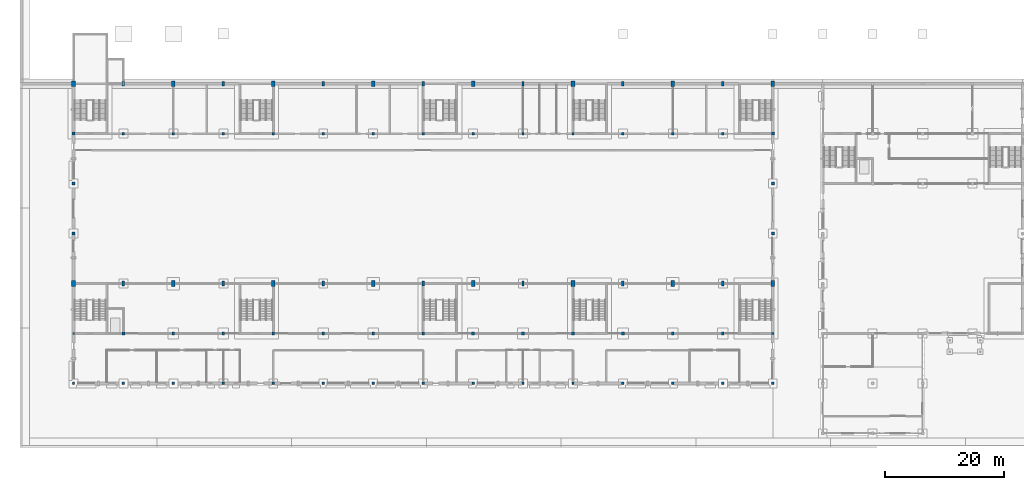
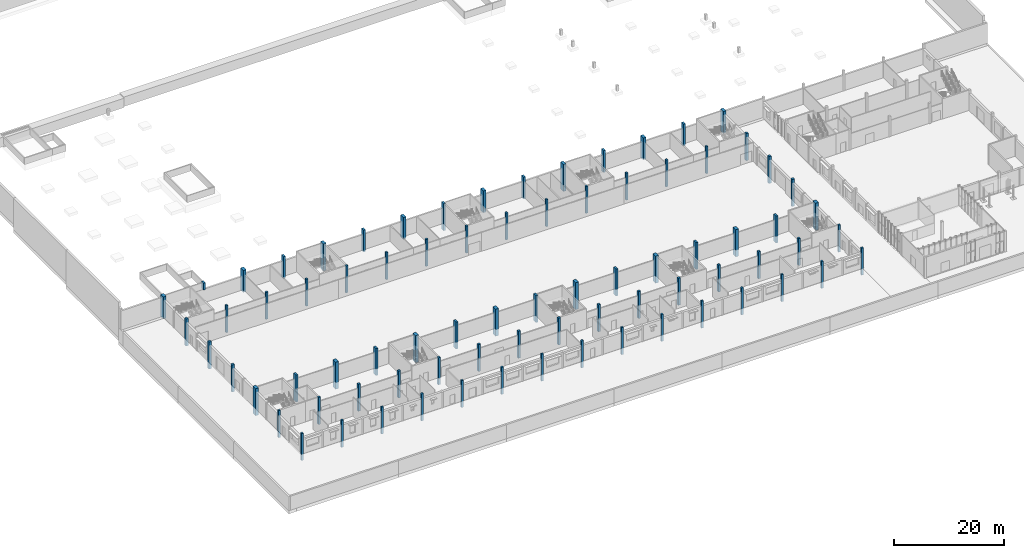
# One storey, part 4 of 36: 79 columns.
"""IFC4 building model written with IfcOpenShell, lengths in metres."""

from ifc_helpers import new_model, si_unit, direction, frame, origin, origin_2d, place, context, subcontext, project, spatial, rectangle, extrude, material, material_profile, profile_set, type_object, element, save


model = new_model("IFC4")

# Units and contexts
model_context = context("Model", 3, precision=1e-05, world=origin(), true_north=direction((0.0, 1.0)))
body_context = subcontext(model_context, "Body", "Model", "MODEL_VIEW")
ifc_project = project(units=[si_unit("LENGTHUNIT", "METRE"), si_unit("AREAUNIT", "SQUARE_METRE"), si_unit("VOLUMEUNIT", "CUBIC_METRE"), si_unit("PLANEANGLEUNIT", "RADIAN"), si_unit("MASSUNIT", "GRAM", prefix="KILO")], contexts=[model_context])

# Site, building, storey
site_placement = place(None, origin())
site = spatial("IfcSite", under=ifc_project, at=site_placement, CompositionType="ELEMENT")
building_placement = place(site_placement, origin())
building = spatial("IfcBuilding", under=site, at=building_placement, Name="Fescue Hill Polytechnic", CompositionType="ELEMENT")
storey_placement = place(building_placement, origin())
storey = spatial("IfcBuildingStorey", under=building, at=storey_placement, Name="L00", CompositionType="ELEMENT", Elevation=0.0)

# Columns
ifc_material = material(Name="Concrete 40 MPa", Category="concrete")
ifc_material_profile_1 = material_profile(ifc_material, rectangle(XDim=0.39990234375, YDim=0.39990234375, at=origin_2d()), Name="RC 400x400")
ifc_profile_set_1 = profile_set([ifc_material_profile_1], Name="Concrete 40 MPa")
column_type_1 = type_object("IfcColumnType", Name="Column RC 400x400", PredefinedType="COLUMN", material=ifc_profile_set_1)
for number, where, z_axis, x_axis, name in (
    (1, (0.0, 0.0, -1.5), (0.0, 0.0, 1.0), (1.0, 0.0, 0.0), "COL-L00-V1-001"),
    (2, (0.0, 8.39990234375, -1.5), (0.0, 0.0, 1.0), (1.0, 0.0, 0.0), "COL-L00-V1-002"),
    (3, (8.39990234375, 0.0, -1.5), (0.0, 0.0, 1.0), (1.0, 0.0, 0.0), "COL-L00-V1-008"),
    (4, (8.39990234375, 42.0, -1.5), (0.0, 0.0, 1.0), (1.0, 0.0, 0.0), "COL-L00-V1-011"),
    (5, (16.800048828125, 0.0, -1.5), (0.0, 0.0, 1.0), (1.0, 0.0, 0.0), "COL-L00-V1-013"),
    (6, (16.800048828125, 42.0, -1.5), (0.0, 0.0, 1.0), (1.0, 0.0, 0.0), "COL-L00-V1-016"),
    (7, (25.199951171875, 0.0, -1.5), (0.0, 0.0, 1.0), (1.0, 0.0, 0.0), "COL-L00-V1-018"),
    (8, (25.199951171875, 42.0, -1.5), (0.0, 0.0, 1.0), (1.0, 0.0, 0.0), "COL-L00-V1-021"),
    (9, (33.60009765625, 0.0, -1.5), (0.0, 0.0, 1.0), (1.0, 0.0, 0.0), "COL-L00-V1-023"),
    (10, (33.60009765625, 42.0, -1.5), (0.0, 0.0, 1.0), (1.0, 0.0, 0.0), "COL-L00-V1-026"),
    (11, (42.0, 0.0, -1.5), (0.0, 0.0, 1.0), (1.0, 0.0, 0.0), "COL-L00-V1-028"),
    (12, (42.0, 42.0, -1.5), (0.0, 0.0, 1.0), (1.0, 0.0, 0.0), "COL-L00-V1-031"),
    (13, (50.39990234375, 0.0, -1.5), (0.0, 0.0, 1.0), (1.0, 0.0, 0.0), "COL-L00-V1-033"),
    (14, (50.39990234375, 42.0, -1.5), (0.0, 0.0, 1.0), (1.0, 0.0, 0.0), "COL-L00-V1-036"),
    (15, (58.800048828125, 0.0, -1.5), (0.0, 0.0, 1.0), (1.0, 0.0, 0.0), "COL-L00-V1-038"),
    (16, (58.800048828125, 42.0, -1.5), (0.0, 0.0, 1.0), (1.0, 0.0, 0.0), "COL-L00-V1-041"),
    (17, (67.199951171875, 0.0, -1.5), (0.0, 0.0, 1.0), (1.0, 0.0, 0.0), "COL-L00-V1-043"),
    (18, (67.199951171875, 42.0, -1.5), (0.0, 0.0, 1.0), (1.0, 0.0, 0.0), "COL-L00-V1-046"),
    (19, (75.60009765625, 0.0, -1.5), (0.0, 0.0, 1.0), (1.0, 0.0, 0.0), "COL-L00-V1-048"),
    (20, (75.60009765625, 42.0, -1.5), (0.0, 0.0, 1.0), (1.0, 0.0, 0.0), "COL-L00-V1-051"),
    (21, (84.0, 0.0, -1.5), (0.0, 0.0, 1.0), (1.0, 0.0, 0.0), "COL-L00-V1-053"),
    (22, (84.0, 42.0, -1.5), (0.0, 0.0, 1.0), (1.0, 0.0, 0.0), "COL-L00-V1-056"),
    (23, (92.39990234375, 0.0, -1.5), (0.0, 0.0, 1.0), (1.0, 0.0, 0.0), "COL-L00-V1-058"),
    (24, (92.39990234375, 42.0, -1.5), (0.0, 0.0, 1.0), (1.0, 0.0, 0.0), "COL-L00-V1-061"),
    (25, (100.800048828125, 0.0, -1.5), (0.0, 0.0, 1.0), (1.0, 0.0, 0.0), "COL-L00-V1-063"),
    (26, (100.800048828125, 42.0, -1.5), (0.0, 0.0, 1.0), (1.0, 0.0, 0.0), "COL-L00-V1-066"),
    (27, (109.199951171875, 0.0, -1.5), (0.0, 0.0, 1.0), (1.0, 0.0, 0.0), "COL-L00-V1-068"),
    (28, (109.199951171875, 42.0, -1.5), (0.0, 0.0, 1.0), (1.0, 0.0, 0.0), "COL-L00-V1-071"),
    (29, (117.60009765625, 0.0, -1.5), (0.0, 0.0, 1.0), (1.0, 0.0, 0.0), "COL-L00-V1-073"),
    (30, (117.60009765625, 8.39990234375, -1.5), (0.0, 0.0, 1.0), (1.0, 0.0, 0.0), "COL-L00-V1-074"),
):
    element("IfcColumn", number, at=place(storey_placement, frame(where, z_axis=z_axis, x_axis=x_axis)), inside=storey, type_object=column_type_1, Name=name, PredefinedType="COLUMN", context=body_context, shape_type="SweptSolid", body=[
        extrude(rectangle(XDim=0.39990234375, YDim=0.39990234375, at=origin_2d()), origin(), (0.0, 0.0, 1.0), 6.0),
    ])
ifc_material_profile_2 = material_profile(ifc_material, rectangle(XDim=0.39990234375, YDim=0.800048828125, at=origin_2d()), Name="RC 400x800")
ifc_profile_set_2 = profile_set([ifc_material_profile_2], Name="Concrete 40 MPa")
column_type_2 = type_object("IfcColumnType", Name="Column RC 400x800", PredefinedType="COLUMN", material=ifc_profile_set_2)
column_1_placement = place(storey_placement, frame((8.39990234375, 16.800048828125, -1.5), z_axis=(0.0, 0.0, 1.0), x_axis=(1.0, 0.0, 0.0)))
element("IfcColumn", 31, at=column_1_placement, inside=storey, type_object=column_type_2, Name="COL-L00-V1-010", PredefinedType="COLUMN", context=body_context, shape_type="SweptSolid", body=[
    extrude(rectangle(XDim=0.39990234375, YDim=0.800048828125, at=origin_2d()), origin(), (0.0, 0.0, 1.0), 6.0),
])
column_2_placement = place(storey_placement, frame((8.39990234375, 50.39990234375, 3.0), z_axis=(0.0, 0.0, 1.0), x_axis=(1.0, 0.0, 0.0)))
element("IfcColumn", 32, at=column_2_placement, inside=storey, type_object=column_type_2, Name="COL-L00-V1-012", PredefinedType="COLUMN", context=body_context, shape_type="SweptSolid", body=[
    extrude(rectangle(XDim=0.39990234375, YDim=0.800048828125, at=origin_2d()), origin(), (0.0, 0.0, 1.0), 1.5),
])
column_3_placement = place(storey_placement, frame((25.199951171875, 16.800048828125, -1.5), z_axis=(0.0, 0.0, 1.0), x_axis=(1.0, 0.0, 0.0)))
element("IfcColumn", 33, at=column_3_placement, inside=storey, type_object=column_type_2, Name="COL-L00-V1-020", PredefinedType="COLUMN", context=body_context, shape_type="SweptSolid", body=[
    extrude(rectangle(XDim=0.39990234375, YDim=0.800048828125, at=origin_2d()), origin(), (0.0, 0.0, 1.0), 6.0),
])
column_4_placement = place(storey_placement, frame((25.199951171875, 50.39990234375, -0.35009765625), z_axis=(0.0, 0.0, 1.0), x_axis=(1.0, 0.0, 0.0)))
element("IfcColumn", 34, at=column_4_placement, inside=storey, type_object=column_type_2, Name="COL-L00-V1-022", PredefinedType="COLUMN", context=body_context, shape_type="SweptSolid", body=[
    extrude(rectangle(XDim=0.39990234375, YDim=0.800048828125, at=origin_2d()), origin(), (0.0, 0.0, 1.0), 4.85009765625),
])
column_5_placement = place(storey_placement, frame((42.0, 16.800048828125, -1.5), z_axis=(0.0, 0.0, 1.0), x_axis=(1.0, 0.0, 0.0)))
element("IfcColumn", 35, at=column_5_placement, inside=storey, type_object=column_type_2, Name="COL-L00-V1-030", PredefinedType="COLUMN", context=body_context, shape_type="SweptSolid", body=[
    extrude(rectangle(XDim=0.39990234375, YDim=0.800048828125, at=origin_2d()), origin(), (0.0, 0.0, 1.0), 6.0),
])
column_6_placement = place(storey_placement, frame((42.0, 50.39990234375, -0.35009765625), z_axis=(0.0, 0.0, 1.0), x_axis=(1.0, 0.0, 0.0)))
element("IfcColumn", 36, at=column_6_placement, inside=storey, type_object=column_type_2, Name="COL-L00-V1-032", PredefinedType="COLUMN", context=body_context, shape_type="SweptSolid", body=[
    extrude(rectangle(XDim=0.39990234375, YDim=0.800048828125, at=origin_2d()), origin(), (0.0, 0.0, 1.0), 4.85009765625),
])
for number, where, z_axis, x_axis, name in (
    (37, (58.800048828125, 16.800048828125, -1.5), (0.0, 0.0, 1.0), (1.0, 0.0, 0.0), "COL-L00-V1-040"),
    (38, (58.800048828125, 50.39990234375, -1.5), (0.0, 0.0, 1.0), (1.0, 0.0, 0.0), "COL-L00-V1-042"),
    (39, (75.60009765625, 16.800048828125, -1.5), (0.0, 0.0, 1.0), (1.0, 0.0, 0.0), "COL-L00-V1-050"),
):
    element("IfcColumn", number, at=place(storey_placement, frame(where, z_axis=z_axis, x_axis=x_axis)), inside=storey, type_object=column_type_2, Name=name, PredefinedType="COLUMN", context=body_context, shape_type="SweptSolid", body=[
        extrude(rectangle(XDim=0.39990234375, YDim=0.800048828125, at=origin_2d()), origin(), (0.0, 0.0, 1.0), 6.0),
    ])
column_7_placement = place(storey_placement, frame((75.60009765625, 50.39990234375, -0.35009765625), z_axis=(0.0, 0.0, 1.0), x_axis=(1.0, 0.0, 0.0)))
element("IfcColumn", 40, at=column_7_placement, inside=storey, type_object=column_type_2, Name="COL-L00-V1-052", PredefinedType="COLUMN", context=body_context, shape_type="SweptSolid", body=[
    extrude(rectangle(XDim=0.39990234375, YDim=0.800048828125, at=origin_2d()), origin(), (0.0, 0.0, 1.0), 4.85009765625),
])
column_8_placement = place(storey_placement, frame((92.39990234375, 16.800048828125, -1.5), z_axis=(0.0, 0.0, 1.0), x_axis=(1.0, 0.0, 0.0)))
element("IfcColumn", 41, at=column_8_placement, inside=storey, type_object=column_type_2, Name="COL-L00-V1-060", PredefinedType="COLUMN", context=body_context, shape_type="SweptSolid", body=[
    extrude(rectangle(XDim=0.39990234375, YDim=0.800048828125, at=origin_2d()), origin(), (0.0, 0.0, 1.0), 6.0),
])
column_9_placement = place(storey_placement, frame((92.39990234375, 50.39990234375, -0.35009765625), z_axis=(0.0, 0.0, 1.0), x_axis=(1.0, 0.0, 0.0)))
element("IfcColumn", 42, at=column_9_placement, inside=storey, type_object=column_type_2, Name="COL-L00-V1-062", PredefinedType="COLUMN", context=body_context, shape_type="SweptSolid", body=[
    extrude(rectangle(XDim=0.39990234375, YDim=0.800048828125, at=origin_2d()), origin(), (0.0, 0.0, 1.0), 4.85009765625),
])
column_10_placement = place(storey_placement, frame((109.199951171875, 16.800048828125, -1.5), z_axis=(0.0, 0.0, 1.0), x_axis=(1.0, 0.0, 0.0)))
element("IfcColumn", 43, at=column_10_placement, inside=storey, type_object=column_type_2, Name="COL-L00-V1-070", PredefinedType="COLUMN", context=body_context, shape_type="SweptSolid", body=[
    extrude(rectangle(XDim=0.39990234375, YDim=0.800048828125, at=origin_2d()), origin(), (0.0, 0.0, 1.0), 6.0),
])
column_11_placement = place(storey_placement, frame((109.199951171875, 50.39990234375, -0.35009765625), z_axis=(0.0, 0.0, 1.0), x_axis=(1.0, 0.0, 0.0)))
element("IfcColumn", 44, at=column_11_placement, inside=storey, type_object=column_type_2, Name="COL-L00-V1-072", PredefinedType="COLUMN", context=body_context, shape_type="SweptSolid", body=[
    extrude(rectangle(XDim=0.39990234375, YDim=0.800048828125, at=origin_2d()), origin(), (0.0, 0.0, 1.0), 4.85009765625),
])
ifc_material_profile_3 = material_profile(ifc_material, rectangle(XDim=0.449951171875, YDim=0.449951171875, at=origin_2d()), Name="RC 450x450")
ifc_profile_set_3 = profile_set([ifc_material_profile_3], Name="Concrete 40 MPa")
column_type_3 = type_object("IfcColumnType", Name="Column RC 450x450", PredefinedType="COLUMN", material=ifc_profile_set_3)
for number, where, z_axis, x_axis, name in (
    (45, (8.39990234375, 8.39990234375, -1.5), (0.0, 0.0, 1.0), (1.0, 0.0, 0.0), "COL-L00-V1-009"),
    (46, (16.800048828125, 8.39990234375, -1.5), (0.0, 0.0, 1.0), (1.0, 0.0, 0.0), "COL-L00-V1-014"),
    (47, (25.199951171875, 8.39990234375, -1.5), (0.0, 0.0, 1.0), (1.0, 0.0, 0.0), "COL-L00-V1-019"),
    (48, (33.60009765625, 8.39990234375, -1.5), (0.0, 0.0, 1.0), (1.0, 0.0, 0.0), "COL-L00-V1-024"),
    (49, (42.0, 8.39990234375, -1.5), (0.0, 0.0, 1.0), (1.0, 0.0, 0.0), "COL-L00-V1-029"),
    (50, (50.39990234375, 8.39990234375, -1.5), (0.0, 0.0, 1.0), (1.0, 0.0, 0.0), "COL-L00-V1-034"),
    (51, (58.800048828125, 8.39990234375, -1.5), (0.0, 0.0, 1.0), (1.0, 0.0, 0.0), "COL-L00-V1-039"),
    (52, (67.199951171875, 8.39990234375, -1.5), (0.0, 0.0, 1.0), (1.0, 0.0, 0.0), "COL-L00-V1-044"),
    (53, (75.60009765625, 8.39990234375, -1.5), (0.0, 0.0, 1.0), (1.0, 0.0, 0.0), "COL-L00-V1-049"),
    (54, (84.0, 8.39990234375, -1.5), (0.0, 0.0, 1.0), (1.0, 0.0, 0.0), "COL-L00-V1-054"),
    (55, (92.39990234375, 8.39990234375, -1.5), (0.0, 0.0, 1.0), (1.0, 0.0, 0.0), "COL-L00-V1-059"),
    (56, (100.800048828125, 8.39990234375, -1.5), (0.0, 0.0, 1.0), (1.0, 0.0, 0.0), "COL-L00-V1-064"),
    (57, (109.199951171875, 8.39990234375, -1.5), (0.0, 0.0, 1.0), (1.0, 0.0, 0.0), "COL-L00-V1-069"),
):
    element("IfcColumn", number, at=place(storey_placement, frame(where, z_axis=z_axis, x_axis=x_axis)), inside=storey, type_object=column_type_3, Name=name, PredefinedType="COLUMN", context=body_context, shape_type="SweptSolid", body=[
        extrude(rectangle(XDim=0.449951171875, YDim=0.449951171875, at=origin_2d()), origin(), (0.0, 0.0, 1.0), 6.0),
    ])
ifc_material_profile_4 = material_profile(ifc_material, rectangle(XDim=0.5, YDim=0.5, at=origin_2d()), Name="RC 500x500")
ifc_profile_set_4 = profile_set([ifc_material_profile_4], Name="Concrete 40 MPa")
column_type_4 = type_object("IfcColumnType", Name="Column RC 500x500", PredefinedType="COLUMN", material=ifc_profile_set_4)
for number, where, z_axis, x_axis, name in (
    (58, (0.0, 25.199951171875, -1.5), (0.0, 0.0, 1.0), (1.0, 0.0, 0.0), "COL-L00-V1-004"),
    (59, (0.0, 33.60009765625, -1.5), (0.0, 0.0, 1.0), (1.0, 0.0, 0.0), "COL-L00-V1-005"),
    (60, (0.0, 42.0, -1.5), (0.0, 0.0, 1.0), (1.0, 0.0, 0.0), "COL-L00-V1-006"),
    (61, (117.60009765625, 25.199951171875, -1.5), (0.0, 0.0, 1.0), (1.0, 0.0, 0.0), "COL-L00-V1-076"),
    (62, (117.60009765625, 33.60009765625, -1.5), (0.0, 0.0, 1.0), (1.0, 0.0, 0.0), "COL-L00-V1-077"),
    (63, (117.60009765625, 42.0, -1.5), (0.0, 0.0, 1.0), (1.0, 0.0, 0.0), "COL-L00-V1-078"),
):
    element("IfcColumn", number, at=place(storey_placement, frame(where, z_axis=z_axis, x_axis=x_axis)), inside=storey, type_object=column_type_4, Name=name, PredefinedType="COLUMN", context=body_context, shape_type="SweptSolid", body=[
        extrude(rectangle(XDim=0.5, YDim=0.5, at=origin_2d()), origin(), (0.0, 0.0, 1.0), 6.0),
    ])
ifc_material_profile_5 = material_profile(ifc_material, rectangle(XDim=0.60009765625, YDim=1.0, at=origin_2d()), Name="RC 600x1000")
ifc_profile_set_5 = profile_set([ifc_material_profile_5], Name="Concrete 40 MPa")
column_type_5 = type_object("IfcColumnType", Name="Column RC 600x1000", PredefinedType="COLUMN", material=ifc_profile_set_5)
column_12_placement = place(storey_placement, frame((0.0, 16.800048828125, -1.5), z_axis=(0.0, 0.0, 1.0), x_axis=(1.0, 0.0, 0.0)))
element("IfcColumn", 64, at=column_12_placement, inside=storey, type_object=column_type_5, Name="COL-L00-V1-003", PredefinedType="COLUMN", context=body_context, shape_type="SweptSolid", body=[
    extrude(rectangle(XDim=0.60009765625, YDim=1.0, at=origin_2d()), origin(), (0.0, 0.0, 1.0), 6.0),
])
column_13_placement = place(storey_placement, frame((0.0, 50.39990234375, -0.35009765625), z_axis=(0.0, 0.0, 1.0), x_axis=(1.0, 0.0, 0.0)))
element("IfcColumn", 65, at=column_13_placement, inside=storey, type_object=column_type_5, Name="COL-L00-V1-007", PredefinedType="COLUMN", context=body_context, shape_type="SweptSolid", body=[
    extrude(rectangle(XDim=0.60009765625, YDim=1.0, at=origin_2d()), origin(), (0.0, 0.0, 1.0), 4.85009765625),
])
column_14_placement = place(storey_placement, frame((16.800048828125, 16.800048828125, -1.5), z_axis=(0.0, 0.0, 1.0), x_axis=(1.0, 0.0, 0.0)))
element("IfcColumn", 66, at=column_14_placement, inside=storey, type_object=column_type_5, Name="COL-L00-V1-015", PredefinedType="COLUMN", context=body_context, shape_type="SweptSolid", body=[
    extrude(rectangle(XDim=0.60009765625, YDim=1.0, at=origin_2d()), origin(), (0.0, 0.0, 1.0), 6.0),
])
column_15_placement = place(storey_placement, frame((16.800048828125, 50.39990234375, -0.35009765625), z_axis=(0.0, 0.0, 1.0), x_axis=(1.0, 0.0, 0.0)))
element("IfcColumn", 67, at=column_15_placement, inside=storey, type_object=column_type_5, Name="COL-L00-V1-017", PredefinedType="COLUMN", context=body_context, shape_type="SweptSolid", body=[
    extrude(rectangle(XDim=0.60009765625, YDim=1.0, at=origin_2d()), origin(), (0.0, 0.0, 1.0), 4.85009765625),
])
for number, where, z_axis, x_axis, name in (
    (68, (33.60009765625, 16.800048828125, -1.5), (0.0, 0.0, 1.0), (1.0, 0.0, 0.0), "COL-L00-V1-025"),
    (69, (33.60009765625, 50.39990234375, -1.5), (0.0, 0.0, 1.0), (1.0, 0.0, 0.0), "COL-L00-V1-027"),
    (70, (50.39990234375, 16.800048828125, -1.5), (0.0, 0.0, 1.0), (1.0, 0.0, 0.0), "COL-L00-V1-035"),
):
    element("IfcColumn", number, at=place(storey_placement, frame(where, z_axis=z_axis, x_axis=x_axis)), inside=storey, type_object=column_type_5, Name=name, PredefinedType="COLUMN", context=body_context, shape_type="SweptSolid", body=[
        extrude(rectangle(XDim=0.60009765625, YDim=1.0, at=origin_2d()), origin(), (0.0, 0.0, 1.0), 6.0),
    ])
column_16_placement = place(storey_placement, frame((50.39990234375, 50.39990234375, -0.35009765625), z_axis=(0.0, 0.0, 1.0), x_axis=(1.0, 0.0, 0.0)))
element("IfcColumn", 71, at=column_16_placement, inside=storey, type_object=column_type_5, Name="COL-L00-V1-037", PredefinedType="COLUMN", context=body_context, shape_type="SweptSolid", body=[
    extrude(rectangle(XDim=0.60009765625, YDim=1.0, at=origin_2d()), origin(), (0.0, 0.0, 1.0), 4.85009765625),
])
column_17_placement = place(storey_placement, frame((67.199951171875, 16.800048828125, -1.5), z_axis=(0.0, 0.0, 1.0), x_axis=(1.0, 0.0, 0.0)))
element("IfcColumn", 72, at=column_17_placement, inside=storey, type_object=column_type_5, Name="COL-L00-V1-045", PredefinedType="COLUMN", context=body_context, shape_type="SweptSolid", body=[
    extrude(rectangle(XDim=0.60009765625, YDim=1.0, at=origin_2d()), origin(), (0.0, 0.0, 1.0), 6.0),
])
column_18_placement = place(storey_placement, frame((67.199951171875, 50.39990234375, -0.35009765625), z_axis=(0.0, 0.0, 1.0), x_axis=(1.0, 0.0, 0.0)))
element("IfcColumn", 73, at=column_18_placement, inside=storey, type_object=column_type_5, Name="COL-L00-V1-047", PredefinedType="COLUMN", context=body_context, shape_type="SweptSolid", body=[
    extrude(rectangle(XDim=0.60009765625, YDim=1.0, at=origin_2d()), origin(), (0.0, 0.0, 1.0), 4.85009765625),
])
for number, where, z_axis, x_axis, name in (
    (74, (84.0, 16.800048828125, -1.5), (0.0, 0.0, 1.0), (1.0, 0.0, 0.0), "COL-L00-V1-055"),
    (75, (84.0, 50.39990234375, -1.5), (0.0, 0.0, 1.0), (1.0, 0.0, 0.0), "COL-L00-V1-057"),
    (76, (100.800048828125, 16.800048828125, -1.5), (0.0, 0.0, 1.0), (1.0, 0.0, 0.0), "COL-L00-V1-065"),
):
    element("IfcColumn", number, at=place(storey_placement, frame(where, z_axis=z_axis, x_axis=x_axis)), inside=storey, type_object=column_type_5, Name=name, PredefinedType="COLUMN", context=body_context, shape_type="SweptSolid", body=[
        extrude(rectangle(XDim=0.60009765625, YDim=1.0, at=origin_2d()), origin(), (0.0, 0.0, 1.0), 6.0),
    ])
column_19_placement = place(storey_placement, frame((100.800048828125, 50.39990234375, -0.35009765625), z_axis=(0.0, 0.0, 1.0), x_axis=(1.0, 0.0, 0.0)))
element("IfcColumn", 77, at=column_19_placement, inside=storey, type_object=column_type_5, Name="COL-L00-V1-067", PredefinedType="COLUMN", context=body_context, shape_type="SweptSolid", body=[
    extrude(rectangle(XDim=0.60009765625, YDim=1.0, at=origin_2d()), origin(), (0.0, 0.0, 1.0), 4.85009765625),
])
column_20_placement = place(storey_placement, frame((117.60009765625, 16.800048828125, -1.5), z_axis=(0.0, 0.0, 1.0), x_axis=(1.0, 0.0, 0.0)))
element("IfcColumn", 78, at=column_20_placement, inside=storey, type_object=column_type_5, Name="COL-L00-V1-075", PredefinedType="COLUMN", context=body_context, shape_type="SweptSolid", body=[
    extrude(rectangle(XDim=0.60009765625, YDim=1.0, at=origin_2d()), origin(), (0.0, 0.0, 1.0), 6.0),
])
column_21_placement = place(storey_placement, frame((117.60009765625, 50.39990234375, -0.35009765625), z_axis=(0.0, 0.0, 1.0), x_axis=(1.0, 0.0, 0.0)))
element("IfcColumn", 79, at=column_21_placement, inside=storey, type_object=column_type_5, Name="COL-L00-V1-079", PredefinedType="COLUMN", context=body_context, shape_type="SweptSolid", body=[
    extrude(rectangle(XDim=0.60009765625, YDim=1.0, at=origin_2d()), origin(), (0.0, 0.0, 1.0), 4.85009765625),
])

save(model, "model.ifc")
